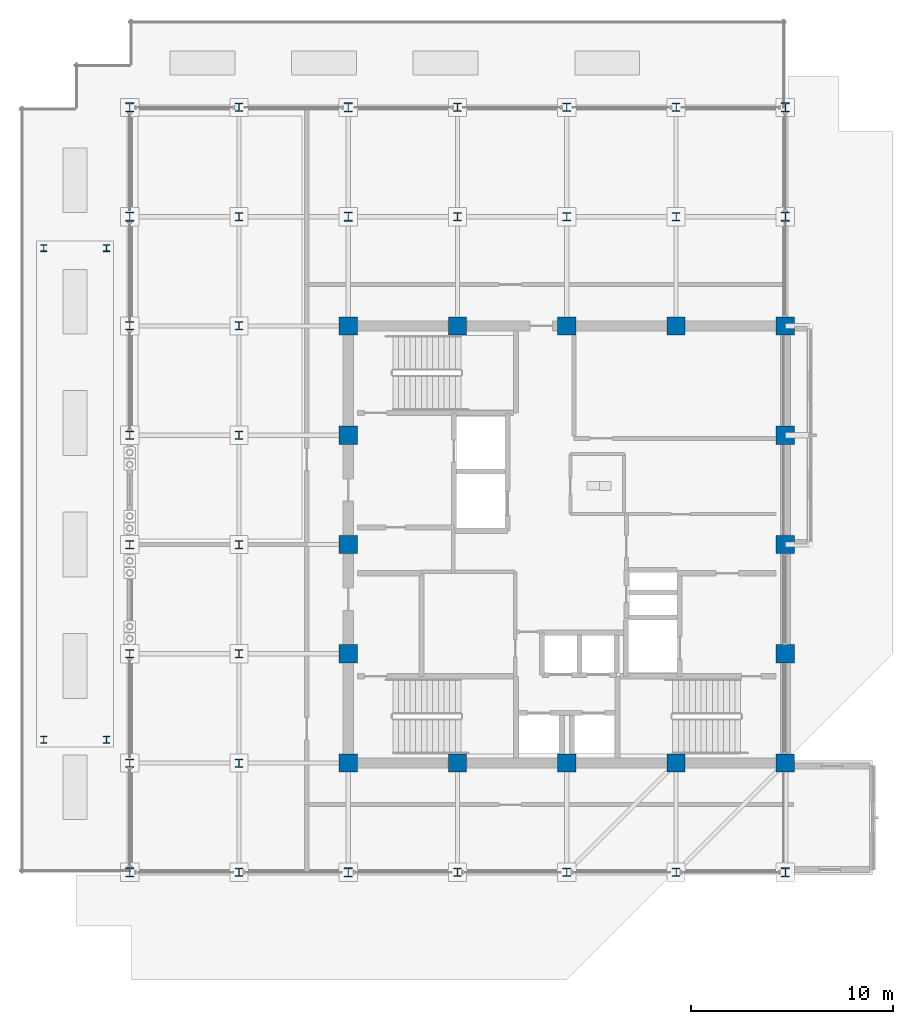
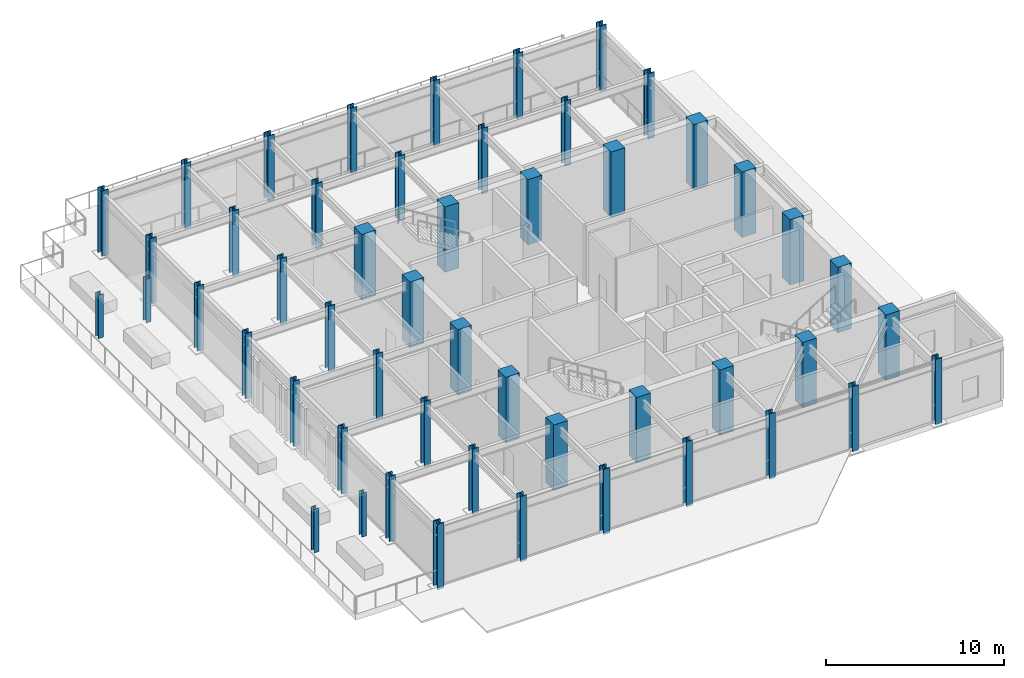
# One storey, part 1 of 22: 51 columns.
"""IFC4 building model written with IfcOpenShell, lengths in metres."""

import ifcopenshell
import ifcopenshell.guid

model = None  # the IFC model being written
_history = None  # IfcOwnerHistory: only IFC2X3 demands one
_inside = {}  # id of a spatial element -> (the spatial element, [elements in it])
_under = {}  # id of a project, library or spatial element -> (it, [spatial elements below it])
_declared = {}  # id of a project -> (the project, [libraries it declares])
_typed = {}  # id of a type object -> (the type object, [elements of that type])
_made_of = {}  # id of a material, layer set ... -> (it, [elements and type objects made of it])


def new_model(schema):
    """Start an empty IFC model of exactly this schema.

    Asked for "IFC4X3", IfcOpenShell would pick the latest addendum, in which some entities
    have other attributes; the version numbers below select the first issue.
    IFC2X3 requires an IfcOwnerHistory on every rooted entity: one is made here for all.
    """
    global model, _history
    if schema == "IFC4X3":
        model = ifcopenshell.file(schema_version=(4, 3, 0, 0))
    else:
        model = ifcopenshell.file(schema=schema)
    _inside.clear()
    _under.clear()
    _declared.clear()
    _typed.clear()
    _made_of.clear()
    _history = None
    if model.schema == "IFC2X3":
        org = make("IfcOrganization", Name="unknown")
        user = make(
            "IfcPersonAndOrganization",
            ThePerson=make("IfcPerson", FamilyName="unknown"),
            TheOrganization=org,
        )
        app = make(
            "IfcApplication",
            ApplicationDeveloper=org,
            Version="unknown",
            ApplicationFullName="unknown",
            ApplicationIdentifier="unknown",
        )
        _history = make(
            "IfcOwnerHistory",
            OwningUser=user,
            OwningApplication=app,
            ChangeAction="ADDED",
            CreationDate=0,
        )
    return model


def make(cls, **values):
    """One entity of the class cls with the attributes given. An attribute that is None is left unset."""
    return model.create_entity(
        cls, **{name: value for name, value in values.items() if value is not None}
    )


def rooted(cls, **values):
    """An entity with a GlobalId (a new one), such as an element, a storey or a relation."""
    return make(cls, GlobalId=ifcopenshell.guid.new(), OwnerHistory=_history, **values)


def si_unit(unit_type, name, prefix=None):
    """IfcSIUnit, for example si_unit("LENGTHUNIT", "METRE", prefix="MILLI")."""
    return make("IfcSIUnit", UnitType=unit_type, Prefix=prefix, Name=name)


def assignment(units):
    """IfcUnitAssignment: the units of a project."""
    return None if units is None else make("IfcUnitAssignment", Units=units)


def point(xyz):
    """IfcCartesianPoint."""
    return None if xyz is None else make("IfcCartesianPoint", Coordinates=xyz)


def direction(xyz):
    """IfcDirection."""
    return None if xyz is None else make("IfcDirection", DirectionRatios=xyz)


def frame(location, z_axis=None, x_axis=None):
    """IfcAxis2Placement3D, a coordinate frame: its origin and axes. An axis left out is left unset."""
    return make(
        "IfcAxis2Placement3D",
        Location=point(location),
        Axis=direction(z_axis),
        RefDirection=direction(x_axis),
    )


def frame_2d(location, x_axis=None):
    """IfcAxis2Placement2D, a coordinate frame in the plane: its origin and x axis."""
    return make(
        "IfcAxis2Placement2D", Location=point(location), RefDirection=direction(x_axis)
    )


def origin():
    """The frame at (0, 0, 0) with its axes left unset."""
    return frame((0.0, 0.0, 0.0))


def origin_2d():
    """The frame at (0, 0) in the plane with its x axis left unset."""
    return frame_2d((0.0, 0.0))


def place(relative_to, where):
    """IfcLocalPlacement: puts the frame where relative to a parent placement (None: the world)."""
    return make(
        "IfcLocalPlacement", PlacementRelTo=relative_to, RelativePlacement=where
    )


def context(
    kind, dimensions, precision=None, world=None, true_north=None, identifier=None
):
    """IfcGeometricRepresentationContext, for example the 3D "Model" context."""
    return make(
        "IfcGeometricRepresentationContext",
        ContextIdentifier=identifier,
        ContextType=kind,
        CoordinateSpaceDimension=dimensions,
        Precision=precision,
        WorldCoordinateSystem=world,
        TrueNorth=true_north,
    )


def subcontext(parent, identifier, kind, view, scale=None):
    """IfcGeometricRepresentationSubContext, for example "Body" below "Model"."""
    return make(
        "IfcGeometricRepresentationSubContext",
        ContextIdentifier=identifier,
        ContextType=kind,
        ParentContext=parent,
        TargetScale=scale,
        TargetView=view,
    )


def project(units=None, contexts=None):
    """IfcProject with its units and contexts."""
    return rooted(
        "IfcProject",
        Name="project",
        RepresentationContexts=contexts,
        UnitsInContext=assignment(units),
    )


def spatial(cls, under=None, at=None, **own):
    """A site, building, storey or space (cls), placed at a placement, below another one or the project."""
    s = rooted(cls, ObjectPlacement=at, **own)
    if under is not None:
        _under.setdefault(under.id(), (under, []))[1].append(s)
    return s


def profile(cls, at=None, kind="AREA", **sizes):
    """A parametric profile (cls). Its sizes go by their IFC names, for example OverallWidth=200.0."""
    return make(cls, ProfileType=kind, Position=at, **sizes)


def rectangle(**sizes):
    """IfcRectangleProfileDef."""
    return profile("IfcRectangleProfileDef", **sizes)


def i_section(**sizes):
    """IfcIShapeProfileDef."""
    return profile("IfcIShapeProfileDef", **sizes)


def extrude(swept, where, along, depth):
    """IfcExtrudedAreaSolid: the profile swept, set in the frame where, extruded along a direction by depth."""
    return make(
        "IfcExtrudedAreaSolid",
        SweptArea=swept,
        Position=where,
        ExtrudedDirection=direction(along),
        Depth=depth,
    )


def shape(context_of_items, identifier, shape_type, items):
    """IfcShapeRepresentation: the items that make up one representation, for example the "Body"."""
    return make(
        "IfcShapeRepresentation",
        ContextOfItems=context_of_items,
        RepresentationIdentifier=identifier,
        RepresentationType=shape_type,
        Items=items,
    )


def material(Name=None, Category=None):
    """IfcMaterial."""
    return make("IfcMaterial", Name=Name, Category=Category)


def material_profile(
    of_material, cross_section, Name=None, Category=None, Priority=None
):
    """IfcMaterialProfile: a cross section and its material."""
    return make(
        "IfcMaterialProfile",
        Name=Name,
        Material=of_material,
        Profile=cross_section,
        Priority=Priority,
        Category=Category,
    )


def profile_set(profiles, Name=None, composite=None):
    """IfcMaterialProfileSet."""
    return make(
        "IfcMaterialProfileSet",
        Name=Name,
        MaterialProfiles=profiles,
        CompositeProfile=composite,
    )


def made_of(thing, what):
    """Note that an element or type object is made of a material, layer set ...; save() writes the relation."""
    if what is not None:
        _made_of.setdefault(what.id(), (what, []))[1].append(thing)
    return thing


def type_object(cls, material=None, **own):
    """A type object (cls), such as IfcWallType, which elements share."""
    return made_of(rooted(cls, **own), material)


def element(
    cls,
    number,
    at=None,
    inside=None,
    cuts=None,
    type_object=None,
    material=None,
    context=None,
    identifier="Body",
    shape_type=None,
    held_by="IfcProductDefinitionShape",
    body=None,
    shapes=None,
    **own,
):
    """One element of the class cls, such as IfcWall. Its Tag is "e" and its number.

    at: its placement. inside: the storey or other place that contains it. cuts: it is an
    opening in that element (IfcRelVoidsElement). A single representation is given by context,
    identifier, shape_type and body (its items); several are given by shapes. held_by: the class
    of the entity that holds the representations. save() writes the other relations.
    """
    e = rooted(cls, Tag="e%d" % number, ObjectPlacement=at, **own)
    if body is not None:
        shapes = [shape(context, identifier, shape_type, body)]
    if shapes is not None:
        e.Representation = make(held_by, Representations=shapes)
    if inside is not None:
        _inside.setdefault(inside.id(), (inside, []))[1].append(e)
    if cuts is not None:
        rooted(
            "IfcRelVoidsElement", RelatingBuildingElement=cuts, RelatedOpeningElement=e
        )
    if type_object is not None:
        _typed.setdefault(type_object.id(), (type_object, []))[1].append(e)
    return made_of(e, material)


def aggregate(whole, parts):
    """IfcRelAggregates: a whole, such as a stair, and the parts it consists of."""
    return rooted("IfcRelAggregates", RelatingObject=whole, RelatedObjects=parts)


def save(model, path):
    """Write the relations noted so far, then the file.

    IfcRelAggregates (storeys below a building ...), IfcRelContainedInSpatialStructure (elements
    in a storey), IfcRelDefinesByType, IfcRelAssociatesMaterial and IfcRelDeclares: one each for
    every whole, place, type object, material and project.
    """
    for whole, parts in _under.values():
        aggregate(whole, parts)
    for where, things in _inside.values():
        rooted(
            "IfcRelContainedInSpatialStructure",
            RelatedElements=things,
            RelatingStructure=where,
        )
    for kind, things in _typed.values():
        rooted("IfcRelDefinesByType", RelatedObjects=things, RelatingType=kind)
    for what, things in _made_of.values():
        rooted("IfcRelAssociatesMaterial", RelatedObjects=things, RelatingMaterial=what)
    for by, libraries in _declared.values():
        rooted("IfcRelDeclares", RelatingContext=by, RelatedDefinitions=libraries)
    model.write(path)


model = new_model("IFC4")

# Units and contexts
model_context = context("Model", 3, precision=1e-05, world=origin(), true_north=direction((0.0, 1.0)))
body_context = subcontext(model_context, "Body", "Model", "MODEL_VIEW")
ifc_project = project(units=[si_unit("LENGTHUNIT", "METRE"), si_unit("AREAUNIT", "SQUARE_METRE"), si_unit("VOLUMEUNIT", "CUBIC_METRE"), si_unit("PLANEANGLEUNIT", "RADIAN"), si_unit("MASSUNIT", "GRAM", prefix="KILO")], contexts=[model_context])

# Site, building, storey
site_placement = place(None, origin())
site = spatial("IfcSite", under=ifc_project, at=site_placement, CompositionType="ELEMENT")
building_placement = place(site_placement, origin())
building = spatial("IfcBuilding", under=site, at=building_placement, Name="Surkhivell Harbour Commons", CompositionType="ELEMENT")
storey_placement = place(building_placement, frame((0.0, 0.0, 337.5)))
storey = spatial("IfcBuildingStorey", under=building, at=storey_placement, Name="L88", CompositionType="ELEMENT", Elevation=337.5)

# Columns
ifc_material_1 = material(Name="Steel S460", Category="steel")
ifc_material_profile_1 = material_profile(ifc_material_1, i_section(OverallWidth=0.424072265625, OverallDepth=0.47412109375, WebThickness=0.04296875, FlangeThickness=0.06494140625, at=origin_2d()), Name="HD400x634")
ifc_profile_set_1 = profile_set([ifc_material_profile_1], Name="Steel S460")
column_type_1 = type_object("IfcColumnType", Name="COL-CRN-HD400", PredefinedType="COLUMN", material=ifc_profile_set_1)
for number, where, z_axis, x_axis, name in (
    (1, (-21.60009765625, -16.199951171875, 0.0), (0.0, 0.0, 1.0), (1.0, 0.0, 0.0), "L88 Column CCRN-1 (-21.6,-16.2)"),
    (2, (-21.60009765625, 16.199951171875, 0.0), (0.0, 0.0, 1.0), (1.0, 0.0, 0.0), "L88 Column CCRN-1 (-21.6,16.2)"),
    (3, (-21.60009765625, 21.60009765625, 0.0), (0.0, 0.0, 1.0), (1.0, 0.0, 0.0), "L88 Column CCRN-1 (-21.6,21.6)"),
    (4, (-10.800048828125, -16.199951171875, 0.0), (0.0, 0.0, 1.0), (1.0, 0.0, 0.0), "L88 Column CCRN-1 (-10.8,-16.2)"),
    (5, (-10.800048828125, 16.199951171875, 0.0), (0.0, 0.0, 1.0), (1.0, 0.0, 0.0), "L88 Column CCRN-1 (-10.8,16.2)"),
    (6, (-10.800048828125, 21.60009765625, 0.0), (0.0, 0.0, 1.0), (1.0, 0.0, 0.0), "L88 Column CCRN-1 (-10.8,21.6)"),
    (7, (10.800048828125, -16.199951171875, 0.0), (0.0, 0.0, 1.0), (1.0, 0.0, 0.0), "L88 Column CCRN-1 (10.8,-16.2)"),
    (8, (10.800048828125, 16.199951171875, 0.0), (0.0, 0.0, 1.0), (1.0, 0.0, 0.0), "L88 Column CCRN-1 (10.8,16.2)"),
    (9, (10.800048828125, 21.60009765625, 0.0), (0.0, 0.0, 1.0), (1.0, 0.0, 0.0), "L88 Column CCRN-1 (10.8,21.6)"),
):
    element("IfcColumn", number, at=place(storey_placement, frame(where, z_axis=z_axis, x_axis=x_axis)), inside=storey, type_object=column_type_1, Name=name, PredefinedType="COLUMN", context=body_context, shape_type="SweptSolid", body=[
        extrude(i_section(OverallWidth=0.424072265625, OverallDepth=0.47412109375, WebThickness=0.04296875, FlangeThickness=0.06494140625, at=origin_2d()), origin(), (0.0, 0.0, 1.0), 4.5),
    ])
ifc_material_2 = material(Name="Steel S355", Category="steel")
ifc_material_profile_2 = material_profile(ifc_material_2, i_section(OverallWidth=0.31396484375, OverallDepth=0.340087890625, WebThickness=0.01904296875, FlangeThickness=0.031494140625, at=origin_2d()), Name="UC305x305x198")
ifc_profile_set_2 = profile_set([ifc_material_profile_2], Name="Steel S355")
column_type_2 = type_object("IfcColumnType", Name="COL-CRN-UC305", PredefinedType="COLUMN", material=ifc_profile_set_2)
for number, where, z_axis, x_axis, name in (
    (10, (-25.85009765625, -9.64990234375, 0.0), (0.0, 0.0, 1.0), (1.0, 0.0, 0.0), "L88 Canopy Support Post CAN-CRN-1"),
    (11, (-22.75, -9.64990234375, 0.0), (0.0, 0.0, 1.0), (1.0, 0.0, 0.0), "L88 Canopy Support Post CAN-CRN-2"),
    (12, (-22.75, 14.64990234375, 0.0), (0.0, 0.0, 1.0), (1.0, 0.0, 0.0), "L88 Canopy Support Post CAN-CRN-3"),
    (13, (-25.85009765625, 14.64990234375, 0.0), (0.0, 0.0, 1.0), (1.0, 0.0, 0.0), "L88 Canopy Support Post CAN-CRN-4"),
):
    element("IfcColumn", number, at=place(storey_placement, frame(where, z_axis=z_axis, x_axis=x_axis)), inside=storey, type_object=column_type_2, Name=name, PredefinedType="COLUMN", context=body_context, shape_type="SweptSolid", body=[
        extrude(i_section(OverallWidth=0.31396484375, OverallDepth=0.340087890625, WebThickness=0.01904296875, FlangeThickness=0.031494140625, at=origin_2d()), origin(), (0.0, 0.0, 1.0), 2.989990234375),
    ])
ifc_material_profile_3 = material_profile(ifc_material_1, i_section(OverallWidth=0.406982421875, OverallDepth=0.4189453125, WebThickness=0.030517578125, FlangeThickness=0.04931640625, at=origin_2d()), Name="UC356x406x393")
ifc_profile_set_3 = profile_set([ifc_material_profile_3], Name="Steel S460")
column_type_3 = type_object("IfcColumnType", Name="COL-CRN-UC356", PredefinedType="COLUMN", material=ifc_profile_set_3)
for number, where, z_axis, x_axis, name in (
    (14, (-21.60009765625, -10.800048828125, 0.0), (0.0, 0.0, 1.0), (1.0, 0.0, 0.0), "L88 Column CCRN-2 (-21.6,-10.8)"),
    (15, (-21.60009765625, -5.39990234375, 0.0), (0.0, 0.0, 1.0), (1.0, 0.0, 0.0), "L88 Column CCRN-2 (-21.6,-5.4)"),
    (16, (-21.60009765625, 0.0, 0.0), (0.0, 0.0, 1.0), (1.0, 0.0, 0.0), "L88 Column CCRN-2 (-21.6,0.0)"),
    (17, (-21.60009765625, 5.39990234375, 0.0), (0.0, 0.0, 1.0), (1.0, 0.0, 0.0), "L88 Column CCRN-2 (-21.6,5.4)"),
    (18, (-21.60009765625, 10.800048828125, 0.0), (0.0, 0.0, 1.0), (1.0, 0.0, 0.0), "L88 Column CCRN-2 (-21.6,10.8)"),
    (19, (-16.199951171875, -16.199951171875, 0.0), (0.0, 0.0, 1.0), (1.0, 0.0, 0.0), "L88 Column CCRN-2 (-16.2,-16.2)"),
    (20, (-16.199951171875, -10.800048828125, 0.0), (0.0, 0.0, 1.0), (1.0, 0.0, 0.0), "L88 Column CCRN-2 (-16.2,-10.8)"),
    (21, (-16.199951171875, -5.39990234375, 0.0), (0.0, 0.0, 1.0), (1.0, 0.0, 0.0), "L88 Column CCRN-2 (-16.2,-5.4)"),
    (22, (-16.199951171875, 0.0, 0.0), (0.0, 0.0, 1.0), (1.0, 0.0, 0.0), "L88 Column CCRN-2 (-16.2,0.0)"),
    (23, (-16.199951171875, 5.39990234375, 0.0), (0.0, 0.0, 1.0), (1.0, 0.0, 0.0), "L88 Column CCRN-2 (-16.2,5.4)"),
    (24, (-16.199951171875, 10.800048828125, 0.0), (0.0, 0.0, 1.0), (1.0, 0.0, 0.0), "L88 Column CCRN-2 (-16.2,10.8)"),
    (25, (-16.199951171875, 16.199951171875, 0.0), (0.0, 0.0, 1.0), (1.0, 0.0, 0.0), "L88 Column CCRN-2 (-16.2,16.2)"),
    (26, (-16.199951171875, 21.60009765625, 0.0), (0.0, 0.0, 1.0), (1.0, 0.0, 0.0), "L88 Column CCRN-2 (-16.2,21.6)"),
    (27, (-5.39990234375, -16.199951171875, 0.0), (0.0, 0.0, 1.0), (1.0, 0.0, 0.0), "L88 Column CCRN-2 (-5.4,-16.2)"),
    (28, (-5.39990234375, 16.199951171875, 0.0), (0.0, 0.0, 1.0), (1.0, 0.0, 0.0), "L88 Column CCRN-2 (-5.4,16.2)"),
    (29, (-5.39990234375, 21.60009765625, 0.0), (0.0, 0.0, 1.0), (1.0, 0.0, 0.0), "L88 Column CCRN-2 (-5.4,21.6)"),
    (30, (0.0, -16.199951171875, 0.0), (0.0, 0.0, 1.0), (1.0, 0.0, 0.0), "L88 Column CCRN-2 (0.0,-16.2)"),
    (31, (0.0, 16.199951171875, 0.0), (0.0, 0.0, 1.0), (1.0, 0.0, 0.0), "L88 Column CCRN-2 (0.0,16.2)"),
    (32, (0.0, 21.60009765625, 0.0), (0.0, 0.0, 1.0), (1.0, 0.0, 0.0), "L88 Column CCRN-2 (0.0,21.6)"),
    (33, (5.39990234375, -16.199951171875, 0.0), (0.0, 0.0, 1.0), (1.0, 0.0, 0.0), "L88 Column CCRN-2 (5.4,-16.2)"),
    (34, (5.39990234375, 16.199951171875, 0.0), (0.0, 0.0, 1.0), (1.0, 0.0, 0.0), "L88 Column CCRN-2 (5.4,16.2)"),
    (35, (5.39990234375, 21.60009765625, 0.0), (0.0, 0.0, 1.0), (1.0, 0.0, 0.0), "L88 Column CCRN-2 (5.4,21.6)"),
):
    element("IfcColumn", number, at=place(storey_placement, frame(where, z_axis=z_axis, x_axis=x_axis)), inside=storey, type_object=column_type_3, Name=name, PredefinedType="COLUMN", context=body_context, shape_type="SweptSolid", body=[
        extrude(i_section(OverallWidth=0.406982421875, OverallDepth=0.4189453125, WebThickness=0.030517578125, FlangeThickness=0.04931640625, at=origin_2d()), origin(), (0.0, 0.0, 1.0), 4.5),
    ])
ifc_material_3 = material(Name="Concrete C60/75", Category="concrete")
ifc_material_profile_4 = material_profile(ifc_material_3, rectangle(XDim=0.89990234375, YDim=0.89990234375, at=origin_2d()), Name="RC-COL-900x900")
ifc_profile_set_4 = profile_set([ifc_material_profile_4], Name="Concrete C60/75")
column_type_4 = type_object("IfcColumnType", Name="COL-TUBE-Z3A", PredefinedType="COLUMN", material=ifc_profile_set_4)
for number, where, z_axis, x_axis, name in (
    (36, (-10.800048828125, -10.800048828125, 0.0), (0.0, 0.0, 1.0), (1.0, 0.0, 0.0), "L88 Column CT-3A (-10.8,-10.8)"),
    (37, (-10.800048828125, -5.39990234375, 0.0), (0.0, 0.0, 1.0), (1.0, 0.0, 0.0), "L88 Column CT-3A (-10.8,-5.4)"),
    (38, (-10.800048828125, 0.0, 0.0), (0.0, 0.0, 1.0), (1.0, 0.0, 0.0), "L88 Column CT-3A (-10.8,0.0)"),
    (39, (-10.800048828125, 5.39990234375, 0.0), (0.0, 0.0, 1.0), (1.0, 0.0, 0.0), "L88 Column CT-3A (-10.8,5.4)"),
    (40, (-10.800048828125, 10.800048828125, 0.0), (0.0, 0.0, 1.0), (1.0, 0.0, 0.0), "L88 Column CT-3A (-10.8,10.8)"),
    (41, (-5.39990234375, -10.800048828125, 0.0), (0.0, 0.0, 1.0), (1.0, 0.0, 0.0), "L88 Column CT-3A (-5.4,-10.8)"),
    (42, (-5.39990234375, 10.800048828125, 0.0), (0.0, 0.0, 1.0), (1.0, 0.0, 0.0), "L88 Column CT-3A (-5.4,10.8)"),
    (43, (0.0, -10.800048828125, 0.0), (0.0, 0.0, 1.0), (1.0, 0.0, 0.0), "L88 Column CT-3A (0.0,-10.8)"),
    (44, (0.0, 10.800048828125, 0.0), (0.0, 0.0, 1.0), (1.0, 0.0, 0.0), "L88 Column CT-3A (0.0,10.8)"),
    (45, (5.39990234375, -10.800048828125, 0.0), (0.0, 0.0, 1.0), (1.0, 0.0, 0.0), "L88 Column CT-3A (5.4,-10.8)"),
    (46, (5.39990234375, 10.800048828125, 0.0), (0.0, 0.0, 1.0), (1.0, 0.0, 0.0), "L88 Column CT-3A (5.4,10.8)"),
    (47, (10.800048828125, -10.800048828125, 0.0), (0.0, 0.0, 1.0), (1.0, 0.0, 0.0), "L88 Column CT-3A (10.8,-10.8)"),
    (48, (10.800048828125, -5.39990234375, 0.0), (0.0, 0.0, 1.0), (1.0, 0.0, 0.0), "L88 Column CT-3A (10.8,-5.4)"),
    (49, (10.800048828125, 0.0, 0.0), (0.0, 0.0, 1.0), (1.0, 0.0, 0.0), "L88 Column CT-3A (10.8,0.0)"),
    (50, (10.800048828125, 5.39990234375, 0.0), (0.0, 0.0, 1.0), (1.0, 0.0, 0.0), "L88 Column CT-3A (10.8,5.4)"),
    (51, (10.800048828125, 10.800048828125, 0.0), (0.0, 0.0, 1.0), (1.0, 0.0, 0.0), "L88 Column CT-3A (10.8,10.8)"),
):
    element("IfcColumn", number, at=place(storey_placement, frame(where, z_axis=z_axis, x_axis=x_axis)), inside=storey, type_object=column_type_4, Name=name, PredefinedType="COLUMN", context=body_context, shape_type="SweptSolid", body=[
        extrude(rectangle(XDim=0.89990234375, YDim=0.89990234375, at=origin_2d()), origin(), (0.0, 0.0, 1.0), 4.5),
    ])

save(model, "model.ifc")
